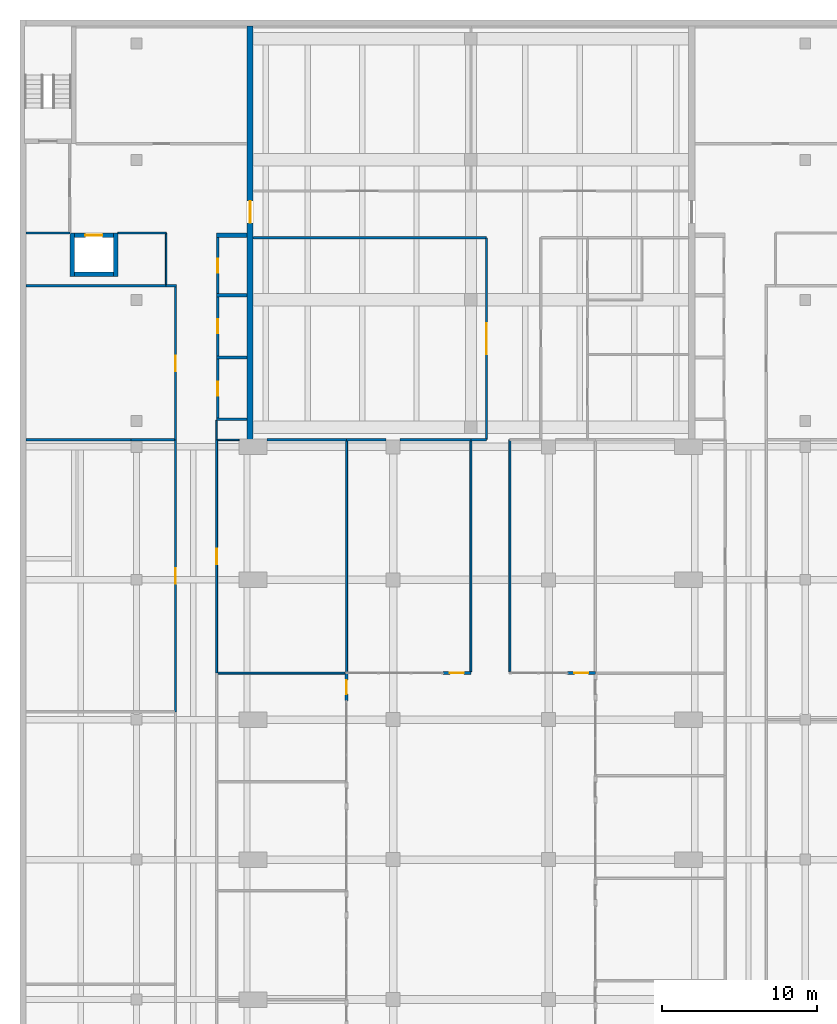
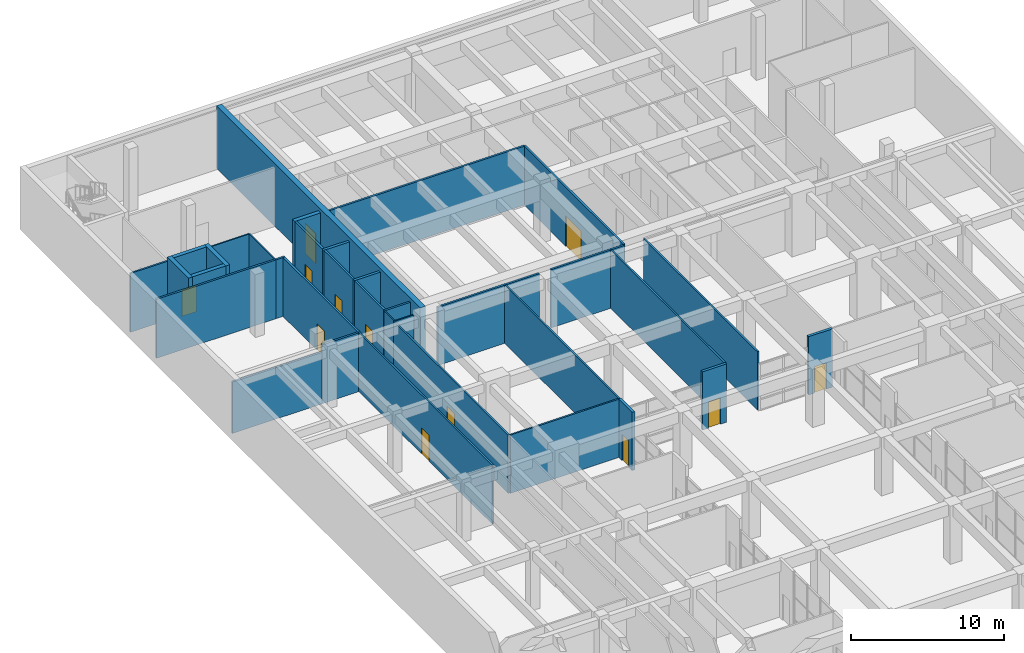
# One storey, part 23 of 29: 37 walls, 12 doors, 12 openings.
"""IFC4 building model written with IfcOpenShell, lengths in metres."""

from ifc_helpers import new_model, si_unit, direction, frame, frame_2d, origin, place, context, subcontext, project, spatial, rectangle, extrude, material, layer, layer_set, type_object, element, fill, save


model = new_model("IFC4")

# Units and contexts
model_context = context("Model", 3, precision=1e-05, world=origin(), true_north=direction((0.0, 1.0)))
body_context = subcontext(model_context, "Body", "Model", "MODEL_VIEW")
ifc_project = project(units=[si_unit("LENGTHUNIT", "METRE"), si_unit("AREAUNIT", "SQUARE_METRE"), si_unit("VOLUMEUNIT", "CUBIC_METRE"), si_unit("PLANEANGLEUNIT", "RADIAN"), si_unit("MASSUNIT", "GRAM", prefix="KILO")], contexts=[model_context])

# Site, building, storey
site_placement = place(None, origin())
site = spatial("IfcSite", under=ifc_project, at=site_placement, CompositionType="ELEMENT")
building_placement = place(site_placement, origin())
building = spatial("IfcBuilding", under=site, at=building_placement, Name="Elmora Arch Market Hall", CompositionType="ELEMENT")
storey_placement = place(building_placement, frame((0.0, 0.0, -5.0)))
storey = spatial("IfcBuildingStorey", under=building, at=storey_placement, Name="LG", CompositionType="ELEMENT", Elevation=-5.0)

# Wall
ifc_material_1 = material(Name="Blockwork", Category="masonry")
ifc_layer_1 = layer(ifc_material_1, 0.14990234375)
ifc_layer_set_1 = layer_set([ifc_layer_1], Name="Blockwork")
wall_type_1 = type_object("IfcWallType", Name="Blockwork partition 150 EI 120", PredefinedType="PARTITIONING", material=ifc_layer_set_1)
wall_1_placement = place(storey_placement, frame((12.64990234375, 100.324951171875, 0.0), z_axis=(0.0, 0.0, 1.0), x_axis=(1.0, 0.0, 0.0)))
element("IfcWall", 1, at=wall_1_placement, inside=storey, type_object=wall_type_1, Name="Riser wall LG 07", PredefinedType="PARTITIONING", context=body_context, shape_type="SweptSolid", body=[
    extrude(rectangle(XDim=1.9501953125, YDim=0.14990234375, at=frame_2d((0.97509765625, 0.0))), origin(), (0.0, 0.0, 1.0), 4.699951171875),
])

# Wall, opening, door
wall_2_placement = place(storey_placement, frame((12.72509765625, 100.39990234375, 0.0), z_axis=(0.0, 0.0, 1.0), x_axis=(0.0, 1.0, 0.0)))
wall_2 = element("IfcWall", 2, at=wall_2_placement, inside=storey, type_object=wall_type_1, Name="Riser wall LG 08", PredefinedType="PARTITIONING", context=body_context, shape_type="SweptSolid", body=[
    extrude(rectangle(XDim=3.800048828125, YDim=0.14990234375, at=frame_2d((1.89990234375, 0.0))), origin(), (0.0, 0.0, 1.0), 4.699951171875),
])
opening_1_placement = place(wall_2_placement, frame((1.449951171875, 0.0, 0.0)))
opening_1 = element("IfcOpeningElement", 3, at=opening_1_placement, cuts=wall_2, Name="Opening D-LG-020", PredefinedType="OPENING", context=body_context, shape_type="SweptSolid", body=[
    extrude(rectangle(XDim=0.89990234375, YDim=2.10009765625, at=frame_2d((0.449951171875, 1.050048828125))), frame((0.0, 0.0849609375, 0.0), z_axis=(0.0, -1.0, 0.0), x_axis=(1.0, 0.0, 0.0)), (0.0, 0.0, 1.0), 0.169921875),
])
ifc_material_2 = material(Name="Steel ASTM A653 galvanised", Category="steel")
door_type_1 = type_object("IfcDoorType", Name="Door 900 x 2100 FD90", OperationType="SINGLE_SWING_LEFT", PredefinedType="DOOR", material=ifc_material_2)
door_1_placement = place(opening_1_placement, frame((0.89990234375, 0.0, 0.0), z_axis=(0.0, 0.0, 1.0), x_axis=(-1.0, 0.0, 0.0)))
door_1 = element("IfcDoor", 4, at=door_1_placement, inside=storey, type_object=door_type_1, Name="Riser access door D-LG-020", OperationType="SINGLE_SWING_RIGHT", OverallHeight=2.10009765625, OverallWidth=0.89990234375, PredefinedType="DOOR", context=body_context, shape_type="SweptSolid", body=[
    extrude(rectangle(XDim=0.89990234375, YDim=2.10009765625, at=frame_2d((0.449951171875, 1.050048828125))), frame((0.0, 0.02490234375, 0.0), z_axis=(0.0, -1.0, 0.0), x_axis=(1.0, 0.0, 0.0)), (0.0, 0.0, 1.0), 0.050048828125),
])
fill(opening_1, door_1)

wall_3_placement = place(storey_placement, frame((12.72509765625, 104.39990234375, 0.0), z_axis=(0.0, 0.0, 1.0), x_axis=(0.0, 1.0, 0.0)))
wall_3 = element("IfcWall", 5, at=wall_3_placement, inside=storey, type_object=wall_type_1, Name="Riser wall LG 10", PredefinedType="PARTITIONING", context=body_context, shape_type="SweptSolid", body=[
    extrude(rectangle(XDim=3.800048828125, YDim=0.14990234375, at=frame_2d((1.89990234375, 0.0))), origin(), (0.0, 0.0, 1.0), 4.699951171875),
])
opening_2_placement = place(wall_3_placement, frame((1.449951171875, 0.0, 0.0)))
opening_2 = element("IfcOpeningElement", 6, at=opening_2_placement, cuts=wall_3, Name="Opening D-LG-027", PredefinedType="OPENING", context=body_context, shape_type="SweptSolid", body=[
    extrude(rectangle(XDim=0.89990234375, YDim=2.10009765625, at=frame_2d((0.449951171875, 1.050048828125))), frame((0.0, 0.0849609375, 0.0), z_axis=(0.0, -1.0, 0.0), x_axis=(1.0, 0.0, 0.0)), (0.0, 0.0, 1.0), 0.169921875),
])
door_2_placement = place(opening_2_placement, frame((0.89990234375, 0.0, 0.0), z_axis=(0.0, 0.0, 1.0), x_axis=(-1.0, 0.0, 0.0)))
door_2 = element("IfcDoor", 7, at=door_2_placement, inside=storey, type_object=door_type_1, Name="Riser access door D-LG-027", OperationType="SINGLE_SWING_RIGHT", OverallHeight=2.10009765625, OverallWidth=0.89990234375, PredefinedType="DOOR", context=body_context, shape_type="SweptSolid", body=[
    extrude(rectangle(XDim=0.89990234375, YDim=2.10009765625, at=frame_2d((0.449951171875, 1.050048828125))), frame((0.0, 0.02490234375, 0.0), z_axis=(0.0, -1.0, 0.0), x_axis=(1.0, 0.0, 0.0)), (0.0, 0.0, 1.0), 0.050048828125),
])
fill(opening_2, door_2)

wall_4_placement = place(storey_placement, frame((12.72509765625, 108.39990234375, 0.0), z_axis=(0.0, 0.0, 1.0), x_axis=(0.0, 1.0, 0.0)))
wall_4 = element("IfcWall", 8, at=wall_4_placement, inside=storey, type_object=wall_type_1, Name="Riser wall LG 12", PredefinedType="PARTITIONING", context=body_context, shape_type="SweptSolid", body=[
    extrude(rectangle(XDim=3.60009765625, YDim=0.14990234375, at=frame_2d((1.800048828125, 0.0))), origin(), (0.0, 0.0, 1.0), 4.699951171875),
])
opening_3_placement = place(wall_4_placement, frame((1.35009765625, 0.0, 0.0)))
opening_3 = element("IfcOpeningElement", 9, at=opening_3_placement, cuts=wall_4, Name="Opening D-LG-030", PredefinedType="OPENING", context=body_context, shape_type="SweptSolid", body=[
    extrude(rectangle(XDim=0.89990234375, YDim=2.10009765625, at=frame_2d((0.449951171875, 1.050048828125))), frame((0.0, 0.0849609375, 0.0), z_axis=(0.0, -1.0, 0.0), x_axis=(1.0, 0.0, 0.0)), (0.0, 0.0, 1.0), 0.169921875),
])
door_3_placement = place(opening_3_placement, frame((0.89990234375, 0.0, 0.0), z_axis=(0.0, 0.0, 1.0), x_axis=(-1.0, 0.0, 0.0)))
door_3 = element("IfcDoor", 10, at=door_3_placement, inside=storey, type_object=door_type_1, Name="Riser access door D-LG-030", OperationType="SINGLE_SWING_RIGHT", OverallHeight=2.10009765625, OverallWidth=0.89990234375, PredefinedType="DOOR", context=body_context, shape_type="SweptSolid", body=[
    extrude(rectangle(XDim=0.89990234375, YDim=2.10009765625, at=frame_2d((0.449951171875, 1.050048828125))), frame((0.0, 0.02490234375, 0.0), z_axis=(0.0, -1.0, 0.0), x_axis=(1.0, 0.0, 0.0)), (0.0, 0.0, 1.0), 0.050048828125),
])
fill(opening_3, door_3)

# Walls
wall_5_placement = place(storey_placement, frame((0.39990234375, 99.0, 0.0), z_axis=(0.0, 0.0, 1.0), x_axis=(1.0, 0.0, 0.0)))
element("IfcWall", 11, at=wall_5_placement, inside=storey, type_object=wall_type_1, Name="Partition PT-LG-041", PredefinedType="PARTITIONING", context=body_context, shape_type="SweptSolid", body=[
    extrude(rectangle(XDim=6.75, YDim=0.14990234375, at=frame_2d((3.375, 0.0))), origin(), (0.0, 0.0, 1.0), 4.10009765625),
])
wall_6_placement = place(storey_placement, frame((15.89990234375, 99.0, 0.0), z_axis=(0.0, 0.0, 1.0), x_axis=(1.0, 0.0, 0.0)))
element("IfcWall", 12, at=wall_6_placement, inside=storey, type_object=wall_type_1, Name="Partition PT-LG-043", PredefinedType="PARTITIONING", context=body_context, shape_type="SweptSolid", body=[
    extrude(rectangle(XDim=5.10009765625, YDim=0.14990234375, at=frame_2d((2.550048828125, 0.0))), origin(), (0.0, 0.0, 1.0), 4.64990234375),
])
wall_7_placement = place(storey_placement, frame((21.0, 99.0, 0.0), z_axis=(0.0, 0.0, 1.0), x_axis=(1.0, 0.0, 0.0)))
element("IfcWall", 13, at=wall_7_placement, inside=storey, type_object=wall_type_1, Name="Partition PT-LG-044-47", PredefinedType="PARTITIONING", context=body_context, shape_type="SweptSolid", body=[
    extrude(rectangle(XDim=2.550048828125, YDim=0.14990234375, at=frame_2d((1.27490234375, 0.0))), origin(), (0.0, 0.0, 1.0), 4.64990234375),
])
wall_8_placement = place(storey_placement, frame((24.449951171875, 99.0, 0.0), z_axis=(0.0, 0.0, 1.0), x_axis=(1.0, 0.0, 0.0)))
element("IfcWall", 14, at=wall_8_placement, inside=storey, type_object=wall_type_1, Name="Partition PT-LG-044-48", PredefinedType="PARTITIONING", context=body_context, shape_type="SweptSolid", body=[
    extrude(rectangle(XDim=4.550048828125, YDim=0.14990234375, at=frame_2d((2.27490234375, 0.0))), origin(), (0.0, 0.0, 1.0), 4.64990234375),
])
wall_9_placement = place(storey_placement, frame((29.0, 99.0, 0.0), z_axis=(0.0, 0.0, 1.0), x_axis=(1.0, 0.0, 0.0)))
element("IfcWall", 15, at=wall_9_placement, inside=storey, type_object=wall_type_1, Name="Partition PT-LG-045", PredefinedType="PARTITIONING", context=body_context, shape_type="SweptSolid", body=[
    extrude(rectangle(XDim=0.989990234375, YDim=0.14990234375, at=frame_2d((0.4951171875, 0.0))), origin(), (0.0, 0.0, 1.0), 4.64990234375),
])
wall_10_placement = place(storey_placement, frame((0.39990234375, 108.89990234375, 0.0), z_axis=(0.0, 0.0, 1.0), x_axis=(1.0, 0.0, 0.0)))
element("IfcWall", 16, at=wall_10_placement, inside=storey, type_object=wall_type_1, Name="Partition PT-LG-054", PredefinedType="PARTITIONING", context=body_context, shape_type="SweptSolid", body=[
    extrude(rectangle(XDim=9.0, YDim=0.14990234375, at=frame_2d((4.5, 0.0))), origin(), (0.0, 0.0, 1.0), 4.699951171875),
])
wall_11_placement = place(storey_placement, frame((9.39990234375, 108.89990234375, 0.0), z_axis=(0.0, 0.0, 1.0), x_axis=(1.0, 0.0, 0.0)))
element("IfcWall", 17, at=wall_11_placement, inside=storey, type_object=wall_type_1, Name="Partition PT-LG-055", PredefinedType="PARTITIONING", context=body_context, shape_type="SweptSolid", body=[
    extrude(rectangle(XDim=0.675048828125, YDim=0.14990234375, at=frame_2d((0.33740234375, 0.0))), origin(), (0.0, 0.0, 1.0), 4.699951171875),
])
wall_12_placement = place(storey_placement, frame((15.0, 112.0, 0.0), z_axis=(0.0, 0.0, 1.0), x_axis=(1.0, 0.0, 0.0)))
element("IfcWall", 18, at=wall_12_placement, inside=storey, type_object=wall_type_1, Name="Partition PT-LG-058", PredefinedType="PARTITIONING", context=body_context, shape_type="SweptSolid", body=[
    extrude(rectangle(XDim=14.989990234375, YDim=0.14990234375, at=frame_2d((7.4951171875, 0.0))), origin(), (0.0, 0.0, 1.0), 4.699951171875),
])

# Wall, opening, door
wall_13_placement = place(storey_placement, frame((10.0, 99.0, 0.0), z_axis=(0.0, 0.0, 1.0), x_axis=(0.0, 1.0, 0.0)))
wall_13 = element("IfcWall", 19, at=wall_13_placement, inside=storey, type_object=wall_type_1, Name="Partition PT-LG-082", PredefinedType="PARTITIONING", context=body_context, shape_type="SweptSolid", body=[
    extrude(rectangle(XDim=9.824951171875, YDim=0.14990234375, at=frame_2d((4.91259765625, 0.0))), origin(), (0.0, 0.0, 1.0), 4.699951171875),
])
opening_4_placement = place(wall_13_placement, frame((4.39990234375, 0.0, 0.0)))
opening_4 = element("IfcOpeningElement", 20, at=opening_4_placement, cuts=wall_13, Name="Opening D-LG-022", PredefinedType="OPENING", context=body_context, shape_type="SweptSolid", body=[
    extrude(rectangle(XDim=1.0, YDim=2.10009765625, at=frame_2d((0.5, 1.050048828125))), frame((0.0, 0.0849609375, 0.0), z_axis=(0.0, -1.0, 0.0), x_axis=(1.0, 0.0, 0.0)), (0.0, 0.0, 1.0), 0.169921875),
])
ifc_material_3 = material(Name="Steel ASTM A653 galvanised", Category="steel")
door_type_2 = type_object("IfcDoorType", Name="Door 1000 x 2100 FD90", OperationType="SINGLE_SWING_LEFT", PredefinedType="DOOR", material=ifc_material_3)
door_4_placement = place(opening_4_placement, origin())
door_4 = element("IfcDoor", 21, at=door_4_placement, inside=storey, type_object=door_type_2, Name="D-LG-022", OperationType="SINGLE_SWING_LEFT", OverallHeight=2.10009765625, OverallWidth=1.0, PredefinedType="DOOR", context=body_context, shape_type="SweptSolid", body=[
    extrude(rectangle(XDim=1.0, YDim=2.10009765625, at=frame_2d((0.5, 1.050048828125))), frame((0.0, 0.02490234375, 0.0), z_axis=(0.0, -1.0, 0.0), x_axis=(1.0, 0.0, 0.0)), (0.0, 0.0, 1.0), 0.050048828125),
])
fill(opening_4, door_4)

wall_14_placement = place(storey_placement, frame((30.0, 99.010009765625, 0.0), z_axis=(0.0, 0.0, 1.0), x_axis=(0.0, 1.0, 0.0)))
wall_14 = element("IfcWall", 22, at=wall_14_placement, inside=storey, type_object=wall_type_1, Name="Partition PT-LG-099", PredefinedType="PARTITIONING", context=body_context, shape_type="SweptSolid", body=[
    extrude(rectangle(XDim=12.97998046875, YDim=0.14990234375, at=frame_2d((6.489990234375, 0.0))), origin(), (0.0, 0.0, 1.0), 4.699951171875),
])
opening_5_placement = place(wall_14_placement, frame((5.5, 0.0, 0.0)))
opening_5 = element("IfcOpeningElement", 23, at=opening_5_placement, cuts=wall_14, Name="Opening D-LG-024", PredefinedType="OPENING", context=body_context, shape_type="SweptSolid", body=[
    extrude(rectangle(XDim=2.0, YDim=2.39990234375, at=frame_2d((1.0, 1.199951171875))), frame((0.0, 0.0849609375, 0.0), z_axis=(0.0, -1.0, 0.0), x_axis=(1.0, 0.0, 0.0)), (0.0, 0.0, 1.0), 0.169921875),
])
ifc_material_4 = material(Name="Steel ASTM A653 galvanised", Category="steel")
door_type_3 = type_object("IfcDoorType", Name="Double door 2000 x 2400 FD90", OperationType="DOUBLE_DOOR_SINGLE_SWING", PredefinedType="DOOR", material=ifc_material_4)
door_5_placement = place(opening_5_placement, origin())
door_5 = element("IfcDoor", 24, at=door_5_placement, inside=storey, type_object=door_type_3, Name="D-LG-024", OperationType="DOUBLE_DOOR_SINGLE_SWING", OverallHeight=2.39990234375, OverallWidth=2.0, PredefinedType="DOOR", context=body_context, shape_type="SweptSolid", body=[
    extrude(rectangle(XDim=2.0, YDim=2.39990234375, at=frame_2d((1.0, 1.199951171875))), frame((0.0, 0.02490234375, 0.0), z_axis=(0.0, -1.0, 0.0), x_axis=(1.0, 0.0, 0.0)), (0.0, 0.0, 1.0), 0.050048828125),
])
fill(opening_5, door_5)

# Walls
wall_15_placement = place(storey_placement, frame((7.14990234375, 99.0, 0.0), z_axis=(0.0, 0.0, 1.0), x_axis=(1.0, 0.0, 0.0)))
element("IfcWall", 25, at=wall_15_placement, inside=storey, type_object=wall_type_1, Name="Partition PT-LG-041.2", PredefinedType="PARTITIONING", context=body_context, shape_type="SweptSolid", body=[
    extrude(rectangle(XDim=2.775146484375, YDim=0.14990234375, at=frame_2d((1.3876953125, 0.0))), origin(), (0.0, 0.0, 1.0), 4.699951171875),
])
ifc_material_5 = material(Name="Blockwork", Category="masonry")
ifc_layer_2 = layer(ifc_material_5, 0.199951171875)
ifc_layer_set_2 = layer_set([ifc_layer_2], Name="Blockwork")
wall_type_2 = type_object("IfcWallType", Name="Blockwork partition 200 EI 120", PredefinedType="PARTITIONING", material=ifc_layer_set_2)
for number, where, z_axis, x_axis, name in (
    (26, (12.64990234375, 104.300048828125, 0.0), (0.0, 0.0, 1.0), (1.0, 0.0, 0.0), "Riser wall LG 09"),
    (27, (12.64990234375, 108.300048828125, 0.0), (0.0, 0.0, 1.0), (1.0, 0.0, 0.0), "Riser wall LG 11"),
):
    element("IfcWall", number, at=place(storey_placement, frame(where, z_axis=z_axis, x_axis=x_axis)), inside=storey, type_object=wall_type_2, Name=name, PredefinedType="PARTITIONING", context=body_context, shape_type="SweptSolid", body=[
        extrude(rectangle(XDim=1.9501953125, YDim=0.199951171875, at=frame_2d((0.97509765625, 0.0))), origin(), (0.0, 0.0, 1.0), 4.699951171875),
    ])
ifc_material_6 = material(Name="Blockwork", Category="masonry")
ifc_layer_3 = layer(ifc_material_6, 0.300048828125)
ifc_layer_set_3 = layer_set([ifc_layer_3], Name="Blockwork")
wall_type_3 = type_object("IfcWallType", Name="Blockwork partition 300 EI 120", PredefinedType="PARTITIONING", material=ifc_layer_set_3)
wall_16_placement = place(storey_placement, frame((12.64990234375, 112.14990234375, 0.0), z_axis=(0.0, 0.0, 1.0), x_axis=(1.0, 0.0, 0.0)))
element("IfcWall", 28, at=wall_16_placement, inside=storey, type_object=wall_type_3, Name="Riser wall LG 13", PredefinedType="PARTITIONING", context=body_context, shape_type="SweptSolid", body=[
    extrude(rectangle(XDim=1.9501953125, YDim=0.300048828125, at=frame_2d((0.97509765625, 0.0))), origin(), (0.0, 0.0, 1.0), 4.699951171875),
])

# Wall, opening, door
ifc_material_7 = material(Name="Concrete C40/50", Category="concrete")
ifc_layer_4 = layer(ifc_material_7, 0.199951171875)
ifc_layer_set_4 = layer_set([ifc_layer_4], Name="Concrete C40/50")
wall_type_4 = type_object("IfcWallType", Name="Concrete shopfront pier 200", PredefinedType="PARTITIONING", material=ifc_layer_set_4)
wall_17_placement = place(storey_placement, frame((21.0, 82.199951171875, 0.0), z_axis=(0.0, 0.0, 1.0), x_axis=(0.0, 1.0, 0.0)))
wall_17 = element("IfcWall", 29, at=wall_17_placement, inside=storey, type_object=wall_type_4, Name="Lower ground shopfront pier W6", PredefinedType="PARTITIONING", context=body_context, shape_type="SweptSolid", body=[
    extrude(rectangle(XDim=1.800048828125, YDim=0.199951171875, at=frame_2d((0.89990234375, 0.0))), origin(), (0.0, 0.0, 1.0), 4.64990234375),
])
opening_6_placement = place(wall_17_placement, frame((0.449951171875, 0.0, 0.0)))
opening_6 = element("IfcOpeningElement", 30, at=opening_6_placement, cuts=wall_17, Name="Opening SD-LG-W6", PredefinedType="OPENING", context=body_context, shape_type="SweptSolid", body=[
    extrude(rectangle(XDim=0.89990234375, YDim=2.10009765625, at=frame_2d((0.449951171875, 1.050048828125))), frame((0.0, 0.10986328125, 0.0), z_axis=(0.0, -1.0, 0.0), x_axis=(1.0, 0.0, 0.0)), (0.0, 0.0, 1.0), 0.219970703125),
])
ifc_material_8 = material(Name="Glazed aluminium", Category="aluminium")
door_type_4 = type_object("IfcDoorType", Name="Lower ground shop door 900x2100", OperationType="SINGLE_SWING_LEFT", PredefinedType="DOOR", material=ifc_material_8)
door_6_placement = place(opening_6_placement, origin())
door_6 = element("IfcDoor", 31, at=door_6_placement, inside=storey, type_object=door_type_4, Name="Lower ground shop door W6", OperationType="SINGLE_SWING_RIGHT", OverallHeight=2.10009765625, OverallWidth=0.89990234375, PredefinedType="DOOR", context=body_context, shape_type="SweptSolid", body=[
    extrude(rectangle(XDim=0.89990234375, YDim=2.10009765625, at=frame_2d((0.449951171875, 1.050048828125))), frame((0.0, 0.02490234375, 0.0), z_axis=(0.0, -1.0, 0.0), x_axis=(1.0, 0.0, 0.0)), (0.0, 0.0, 1.0), 0.050048828125),
])
fill(opening_6, door_6)

wall_18_placement = place(storey_placement, frame((27.199951171875, 84.0, 0.0), z_axis=(0.0, 0.0, 1.0), x_axis=(1.0, 0.0, 0.0)))
wall_18 = element("IfcWall", 32, at=wall_18_placement, inside=storey, type_object=wall_type_4, Name="Lower ground shopfront pier N1", PredefinedType="PARTITIONING", context=body_context, shape_type="SweptSolid", body=[
    extrude(rectangle(XDim=1.800048828125, YDim=0.199951171875, at=frame_2d((0.89990234375, 0.0))), origin(), (0.0, 0.0, 1.0), 4.64990234375),
])
opening_7_placement = place(wall_18_placement, frame((0.449951171875, 0.0, 0.0)))
opening_7 = element("IfcOpeningElement", 33, at=opening_7_placement, cuts=wall_18, Name="Opening SD-LG-N1", PredefinedType="OPENING", context=body_context, shape_type="SweptSolid", body=[
    extrude(rectangle(XDim=0.89990234375, YDim=2.10009765625, at=frame_2d((0.449951171875, 1.050048828125))), frame((0.0, 0.10986328125, 0.0), z_axis=(0.0, -1.0, 0.0), x_axis=(1.0, 0.0, 0.0)), (0.0, 0.0, 1.0), 0.219970703125),
])
door_7_placement = place(opening_7_placement, origin())
door_7 = element("IfcDoor", 34, at=door_7_placement, inside=storey, type_object=door_type_4, Name="Lower ground shop door N1", OperationType="SINGLE_SWING_RIGHT", OverallHeight=2.10009765625, OverallWidth=0.89990234375, PredefinedType="DOOR", context=body_context, shape_type="SweptSolid", body=[
    extrude(rectangle(XDim=0.89990234375, YDim=2.10009765625, at=frame_2d((0.449951171875, 1.050048828125))), frame((0.0, 0.02490234375, 0.0), z_axis=(0.0, -1.0, 0.0), x_axis=(1.0, 0.0, 0.0)), (0.0, 0.0, 1.0), 0.050048828125),
])
fill(opening_7, door_7)

wall_19_placement = place(storey_placement, frame((35.199951171875, 84.0, 0.0), z_axis=(0.0, 0.0, 1.0), x_axis=(1.0, 0.0, 0.0)))
wall_19 = element("IfcWall", 35, at=wall_19_placement, inside=storey, type_object=wall_type_4, Name="Lower ground shopfront pier N2", PredefinedType="PARTITIONING", context=body_context, shape_type="SweptSolid", body=[
    extrude(rectangle(XDim=1.800048828125, YDim=0.199951171875, at=frame_2d((0.89990234375, 0.0))), origin(), (0.0, 0.0, 1.0), 4.64990234375),
])
opening_8_placement = place(wall_19_placement, frame((0.449951171875, 0.0, 0.0)))
opening_8 = element("IfcOpeningElement", 36, at=opening_8_placement, cuts=wall_19, Name="Opening SD-LG-N2", PredefinedType="OPENING", context=body_context, shape_type="SweptSolid", body=[
    extrude(rectangle(XDim=0.89990234375, YDim=2.10009765625, at=frame_2d((0.449951171875, 1.050048828125))), frame((0.0, 0.10986328125, 0.0), z_axis=(0.0, -1.0, 0.0), x_axis=(1.0, 0.0, 0.0)), (0.0, 0.0, 1.0), 0.219970703125),
])
door_8_placement = place(opening_8_placement, origin())
door_8 = element("IfcDoor", 37, at=door_8_placement, inside=storey, type_object=door_type_4, Name="Lower ground shop door N2", OperationType="SINGLE_SWING_RIGHT", OverallHeight=2.10009765625, OverallWidth=0.89990234375, PredefinedType="DOOR", context=body_context, shape_type="SweptSolid", body=[
    extrude(rectangle(XDim=0.89990234375, YDim=2.10009765625, at=frame_2d((0.449951171875, 1.050048828125))), frame((0.0, 0.02490234375, 0.0), z_axis=(0.0, -1.0, 0.0), x_axis=(1.0, 0.0, 0.0)), (0.0, 0.0, 1.0), 0.050048828125),
])
fill(opening_8, door_8)

# Walls
ifc_material_9 = material(Name="Concrete C40/50", Category="concrete")
ifc_layer_5 = layer(ifc_material_9, 0.300048828125)
ifc_layer_set_5 = layer_set([ifc_layer_5], Name="Concrete C40/50")
wall_type_5 = type_object("IfcWallType", Name="Lift shaft wall 300", PredefinedType="SHEAR", material=ifc_layer_set_5)
for number, where, z_axis, x_axis, name in (
    (38, (3.35009765625, 109.5, 0.0), (0.0, 0.0, 1.0), (0.0, 1.0, 0.0), "Lift shaft wall PL1 W LG"),
    (39, (6.14990234375, 109.5, 0.0), (0.0, 0.0, 1.0), (0.0, 1.0, 0.0), "Lift shaft wall PL1 E LG"),
):
    element("IfcWall", number, at=place(storey_placement, frame(where, z_axis=z_axis, x_axis=x_axis)), inside=storey, type_object=wall_type_5, Name=name, PredefinedType="SHEAR", context=body_context, shape_type="SweptSolid", body=[
        extrude(rectangle(XDim=2.800048828125, YDim=0.300048828125, at=frame_2d((1.39990234375, 0.0))), origin(), (0.0, 0.0, 1.0), 5.0),
    ])
wall_20_placement = place(storey_placement, frame((3.5, 109.64990234375, 0.0), z_axis=(0.0, 0.0, 1.0), x_axis=(1.0, 0.0, 0.0)))
element("IfcWall", 40, at=wall_20_placement, inside=storey, type_object=wall_type_5, Name="Lift shaft wall PL1 S LG", PredefinedType="SHEAR", context=body_context, shape_type="SweptSolid", body=[
    extrude(rectangle(XDim=2.5, YDim=0.300048828125, at=frame_2d((1.25, 0.0))), origin(), (0.0, 0.0, 1.0), 5.0),
])

# Wall, opening, door
wall_21_placement = place(storey_placement, frame((3.5, 112.14990234375, 0.0), z_axis=(0.0, 0.0, 1.0), x_axis=(1.0, 0.0, 0.0)))
wall_21 = element("IfcWall", 41, at=wall_21_placement, inside=storey, type_object=wall_type_5, Name="Lift shaft wall PL1 N LG", PredefinedType="SHEAR", context=body_context, shape_type="SweptSolid", body=[
    extrude(rectangle(XDim=2.5, YDim=0.300048828125, at=frame_2d((1.25, 0.0))), origin(), (0.0, 0.0, 1.0), 5.0),
])
opening_9_placement = place(wall_21_placement, frame((0.699951171875, 0.0, 0.0)))
opening_9 = element("IfcOpeningElement", 42, at=opening_9_placement, cuts=wall_21, Name="Opening LD-PL1-LG", PredefinedType="OPENING", context=body_context, shape_type="SweptSolid", body=[
    extrude(rectangle(XDim=1.10009765625, YDim=2.10009765625, at=frame_2d((0.550048828125, 1.050048828125))), frame((0.0, 0.159912109375, 0.0), z_axis=(0.0, -1.0, 0.0), x_axis=(1.0, 0.0, 0.0)), (0.0, 0.0, 1.0), 0.320068359375),
])
ifc_material_10 = material(Name="Stainless steel ASTM A240 Type 304", Category="steel")
door_type_5 = type_object("IfcDoorType", Name="Lift landing door 1100 x 2100 FD90", OperationType="SLIDING_TO_LEFT", PredefinedType="DOOR", material=ifc_material_10)
door_9_placement = place(opening_9_placement, origin())
door_9 = element("IfcDoor", 43, at=door_9_placement, inside=storey, type_object=door_type_5, Name="Landing door PL1 LG", OperationType="SLIDING_TO_LEFT", OverallHeight=2.10009765625, OverallWidth=1.10009765625, PredefinedType="DOOR", context=body_context, shape_type="SweptSolid", body=[
    extrude(rectangle(XDim=1.10009765625, YDim=2.10009765625, at=frame_2d((0.550048828125, 1.050048828125))), frame((0.0, 0.02490234375, 0.0), z_axis=(0.0, -1.0, 0.0), x_axis=(1.0, 0.0, 0.0)), (0.0, 0.0, 1.0), 0.050048828125),
])
fill(opening_9, door_9)

# Walls
ifc_material_11 = material(Name="Gypsum board on metal studs")
ifc_layer_6 = layer(ifc_material_11, 0.10009765625)
ifc_layer_set_6 = layer_set([ifc_layer_6], Name="Gypsum board on metal studs")
wall_type_6 = type_object("IfcWallType", Name="Partition 100", PredefinedType="PARTITIONING", material=ifc_layer_set_6)
wall_22_placement = place(storey_placement, frame((12.71240234375, 99.0, 0.0), z_axis=(0.0, 0.0, 1.0), x_axis=(1.0, 0.0, 0.0)))
element("IfcWall", 44, at=wall_22_placement, inside=storey, type_object=wall_type_6, Name="Partition PT-LG-042", PredefinedType="PARTITIONING", context=body_context, shape_type="SweptSolid", body=[
    extrude(rectangle(XDim=1.3876953125, YDim=0.10009765625, at=frame_2d((0.69384765625, 0.0))), origin(), (0.0, 0.0, 1.0), 4.64990234375),
])
wall_23_placement = place(storey_placement, frame((6.300048828125, 112.300048828125, 0.0), z_axis=(0.0, 0.0, 1.0), x_axis=(1.0, 0.0, 0.0)))
element("IfcWall", 45, at=wall_23_placement, inside=storey, type_object=wall_type_6, Name="Partition PT-LG-063", PredefinedType="PARTITIONING", context=body_context, shape_type="SweptSolid", body=[
    extrude(rectangle(XDim=3.08984375, YDim=0.10009765625, at=frame_2d((1.544921875, 0.0))), origin(), (0.0, 0.0, 1.0), 4.699951171875),
])
wall_24_placement = place(storey_placement, frame((9.39990234375, 108.97509765625, 0.0), z_axis=(0.0, 0.0, 1.0), x_axis=(0.0, 1.0, 0.0)))
element("IfcWall", 46, at=wall_24_placement, inside=storey, type_object=wall_type_6, Name="Partition PT-LG-076", PredefinedType="PARTITIONING", context=body_context, shape_type="SweptSolid", body=[
    extrude(rectangle(XDim=3.31494140625, YDim=0.10009765625, at=frame_2d((1.657470703125, 0.0))), origin(), (0.0, 0.0, 1.0), 4.699951171875),
])
wall_25_placement = place(storey_placement, frame((12.64990234375, 99.0, 0.0), z_axis=(0.0, 0.0, 1.0), x_axis=(0.0, 1.0, 0.0)))
element("IfcWall", 47, at=wall_25_placement, inside=storey, type_object=wall_type_6, Name="Partition PT-LG-092", PredefinedType="PARTITIONING", context=body_context, shape_type="SweptSolid", body=[
    extrude(rectangle(XDim=1.25, YDim=0.10009765625, at=frame_2d((0.625, 0.0))), origin(), (0.0, 0.0, 1.0), 4.699951171875),
])
ifc_material_12 = material(Name="Gypsum board on metal studs")
ifc_layer_7 = layer(ifc_material_12, 0.125)
ifc_layer_set_7 = layer_set([ifc_layer_7], Name="Gypsum board on metal studs")
wall_type_7 = type_object("IfcWallType", Name="Partition 125 EI 60", PredefinedType="PARTITIONING", material=ifc_layer_set_7)
wall_26_placement = place(storey_placement, frame((12.71240234375, 84.0, 0.0), z_axis=(0.0, 0.0, 1.0), x_axis=(1.0, 0.0, 0.0)))
element("IfcWall", 48, at=wall_26_placement, inside=storey, type_object=wall_type_7, Name="Partition PT-LG-039", PredefinedType="PARTITIONING", context=body_context, shape_type="SweptSolid", body=[
    extrude(rectangle(XDim=8.1875, YDim=0.125, at=frame_2d((4.09375, 0.0))), origin(), (0.0, 0.0, 1.0), 4.64990234375),
])
wall_27_placement = place(storey_placement, frame((0.39990234375, 112.300048828125, 0.0), z_axis=(0.0, 0.0, 1.0), x_axis=(1.0, 0.0, 0.0)))
element("IfcWall", 49, at=wall_27_placement, inside=storey, type_object=wall_type_7, Name="Partition PT-LG-062", PredefinedType="PARTITIONING", context=body_context, shape_type="SweptSolid", body=[
    extrude(rectangle(XDim=2.800048828125, YDim=0.125, at=frame_2d((1.39990234375, 0.0))), origin(), (0.0, 0.0, 1.0), 4.699951171875),
])

# Wall, opening, door
wall_28_placement = place(storey_placement, frame((10.0, 81.5, 0.0), z_axis=(0.0, 0.0, 1.0), x_axis=(0.0, 1.0, 0.0)))
wall_28 = element("IfcWall", 50, at=wall_28_placement, inside=storey, type_object=wall_type_7, Name="Partition PT-LG-081", PredefinedType="PARTITIONING", context=body_context, shape_type="SweptSolid", body=[
    extrude(rectangle(XDim=17.5, YDim=0.125, at=frame_2d((8.75, 0.0))), origin(), (0.0, 0.0, 1.0), 4.699951171875),
])
opening_10_placement = place(wall_28_placement, frame((8.25, 0.0, 0.0)))
opening_10 = element("IfcOpeningElement", 51, at=opening_10_placement, cuts=wall_28, Name="Opening D-LG-016", PredefinedType="OPENING", context=body_context, shape_type="SweptSolid", body=[
    extrude(rectangle(XDim=1.0, YDim=2.10009765625, at=frame_2d((0.5, 1.050048828125))), frame((0.0, 0.072509765625, 0.0), z_axis=(0.0, -1.0, 0.0), x_axis=(1.0, 0.0, 0.0)), (0.0, 0.0, 1.0), 0.14501953125),
])
ifc_material_13 = material(Name="Steel ASTM A653 galvanised", Category="steel")
door_type_6 = type_object("IfcDoorType", Name="Door 1000 x 2100 FD45", OperationType="SINGLE_SWING_LEFT", PredefinedType="DOOR", material=ifc_material_13)
door_10_placement = place(opening_10_placement, origin())
door_10 = element("IfcDoor", 52, at=door_10_placement, inside=storey, type_object=door_type_6, Name="D-LG-016", OperationType="SINGLE_SWING_RIGHT", OverallHeight=2.10009765625, OverallWidth=1.0, PredefinedType="DOOR", context=body_context, shape_type="SweptSolid", body=[
    extrude(rectangle(XDim=1.0, YDim=2.10009765625, at=frame_2d((0.5, 1.050048828125))), frame((0.0, 0.02490234375, 0.0), z_axis=(0.0, -1.0, 0.0), x_axis=(1.0, 0.0, 0.0)), (0.0, 0.0, 1.0), 0.050048828125),
])
fill(opening_10, door_10)

wall_29_placement = place(storey_placement, frame((12.64990234375, 84.0, 0.0), z_axis=(0.0, 0.0, 1.0), x_axis=(0.0, 1.0, 0.0)))
wall_29 = element("IfcWall", 53, at=wall_29_placement, inside=storey, type_object=wall_type_7, Name="Partition PT-LG-091", PredefinedType="PARTITIONING", context=body_context, shape_type="SweptSolid", body=[
    extrude(rectangle(XDim=15.0, YDim=0.125, at=frame_2d((7.5, 0.0))), origin(), (0.0, 0.0, 1.0), 4.64990234375),
])
opening_11_placement = place(wall_29_placement, frame((7.0, 0.0, 0.0)))
opening_11 = element("IfcOpeningElement", 54, at=opening_11_placement, cuts=wall_29, Name="Opening D-LG-017", PredefinedType="OPENING", context=body_context, shape_type="SweptSolid", body=[
    extrude(rectangle(XDim=1.0, YDim=2.10009765625, at=frame_2d((0.5, 1.050048828125))), frame((0.0, 0.072509765625, 0.0), z_axis=(0.0, -1.0, 0.0), x_axis=(1.0, 0.0, 0.0)), (0.0, 0.0, 1.0), 0.14501953125),
])
door_11_placement = place(opening_11_placement, frame((1.0, 0.0, 0.0), z_axis=(0.0, 0.0, 1.0), x_axis=(-1.0, 0.0, 0.0)))
door_11 = element("IfcDoor", 55, at=door_11_placement, inside=storey, type_object=door_type_6, Name="D-LG-017", OperationType="SINGLE_SWING_RIGHT", OverallHeight=2.10009765625, OverallWidth=1.0, PredefinedType="DOOR", context=body_context, shape_type="SweptSolid", body=[
    extrude(rectangle(XDim=1.0, YDim=2.10009765625, at=frame_2d((0.5, 1.050048828125))), frame((0.0, 0.02490234375, 0.0), z_axis=(0.0, -1.0, 0.0), x_axis=(1.0, 0.0, 0.0)), (0.0, 0.0, 1.0), 0.050048828125),
])
fill(opening_11, door_11)

# Walls
wall_30_placement = place(storey_placement, frame((21.0, 84.0, 0.0), z_axis=(0.0, 0.0, 1.0), x_axis=(0.0, 1.0, 0.0)))
element("IfcWall", 56, at=wall_30_placement, inside=storey, type_object=wall_type_7, Name="Partition PT-LG-095", PredefinedType="PARTITIONING", context=body_context, shape_type="SweptSolid", body=[
    extrude(rectangle(XDim=14.925048828125, YDim=0.125, at=frame_2d((7.46240234375, 0.0))), origin(), (0.0, 0.0, 1.0), 4.64990234375),
])
wall_31_placement = place(storey_placement, frame((29.0, 84.10009765625, 0.0), z_axis=(0.0, 0.0, 1.0), x_axis=(0.0, 1.0, 0.0)))
element("IfcWall", 57, at=wall_31_placement, inside=storey, type_object=wall_type_7, Name="Partition PT-LG-097", PredefinedType="PARTITIONING", context=body_context, shape_type="SweptSolid", body=[
    extrude(rectangle(XDim=14.824951171875, YDim=0.125, at=frame_2d((7.41259765625, 0.0))), origin(), (0.0, 0.0, 1.0), 4.64990234375),
])
wall_32_placement = place(storey_placement, frame((31.5, 84.10009765625, 0.0), z_axis=(0.0, 0.0, 1.0), x_axis=(0.0, 1.0, 0.0)))
element("IfcWall", 58, at=wall_32_placement, inside=storey, type_object=wall_type_7, Name="Partition PT-LG-100", PredefinedType="PARTITIONING", context=body_context, shape_type="SweptSolid", body=[
    extrude(rectangle(XDim=14.889892578125, YDim=0.125, at=frame_2d((7.44482421875, 0.0))), origin(), (0.0, 0.0, 1.0), 4.64990234375),
])

# Wall, opening, door
ifc_material_14 = material(Name="Concrete C40/50", Category="concrete")
ifc_layer_8 = layer(ifc_material_14, 0.39990234375)
ifc_layer_set_8 = layer_set([ifc_layer_8], Name="Concrete C40/50")
wall_type_8 = type_object("IfcWallType", Name="Spine wall 400", PredefinedType="SHEAR", material=ifc_layer_set_8)
wall_33_placement = place(storey_placement, frame((14.800048828125, 99.0, 0.0), z_axis=(0.0, 0.0, 1.0), x_axis=(0.0, 1.0, 0.0)))
wall_33 = element("IfcWall", 59, at=wall_33_placement, inside=storey, type_object=wall_type_8, Name="Spine wall W LG", PredefinedType="SHEAR", context=body_context, shape_type="SweptSolid", body=[
    extrude(rectangle(XDim=26.60009765625, YDim=0.39990234375, at=frame_2d((13.300048828125, 0.0))), origin(), (0.0, 0.0, 1.0), 5.0),
])
opening_12_placement = place(wall_33_placement, frame((13.949951171875, 0.0, 0.0)))
opening_12 = element("IfcOpeningElement", 60, at=opening_12_placement, cuts=wall_33, Name="Opening D-LG-032", PredefinedType="OPENING", context=body_context, shape_type="SweptSolid", body=[
    extrude(rectangle(XDim=1.39990234375, YDim=2.39990234375, at=frame_2d((0.699951171875, 1.199951171875))), frame((0.0, 0.2099609375, 0.0), z_axis=(0.0, -1.0, 0.0), x_axis=(1.0, 0.0, 0.0)), (0.0, 0.0, 1.0), 0.419921875),
])
ifc_material_15 = material(Name="Timber door set", Category="wood")
door_type_7 = type_object("IfcDoorType", Name="Door 1400 x 2400", OperationType="SINGLE_SWING_LEFT", PredefinedType="DOOR", material=ifc_material_15)
door_12_placement = place(opening_12_placement, origin())
door_12 = element("IfcDoor", 61, at=door_12_placement, inside=storey, type_object=door_type_7, Name="D-LG-032", OperationType="SINGLE_SWING_LEFT", OverallHeight=2.39990234375, OverallWidth=1.39990234375, PredefinedType="DOOR", context=body_context, shape_type="SweptSolid", body=[
    extrude(rectangle(XDim=1.39990234375, YDim=2.39990234375, at=frame_2d((0.699951171875, 1.199951171875))), frame((0.0, 0.02490234375, 0.0), z_axis=(0.0, -1.0, 0.0), x_axis=(1.0, 0.0, 0.0)), (0.0, 0.0, 1.0), 0.050048828125),
])
fill(opening_12, door_12)

save(model, "model.ifc")
